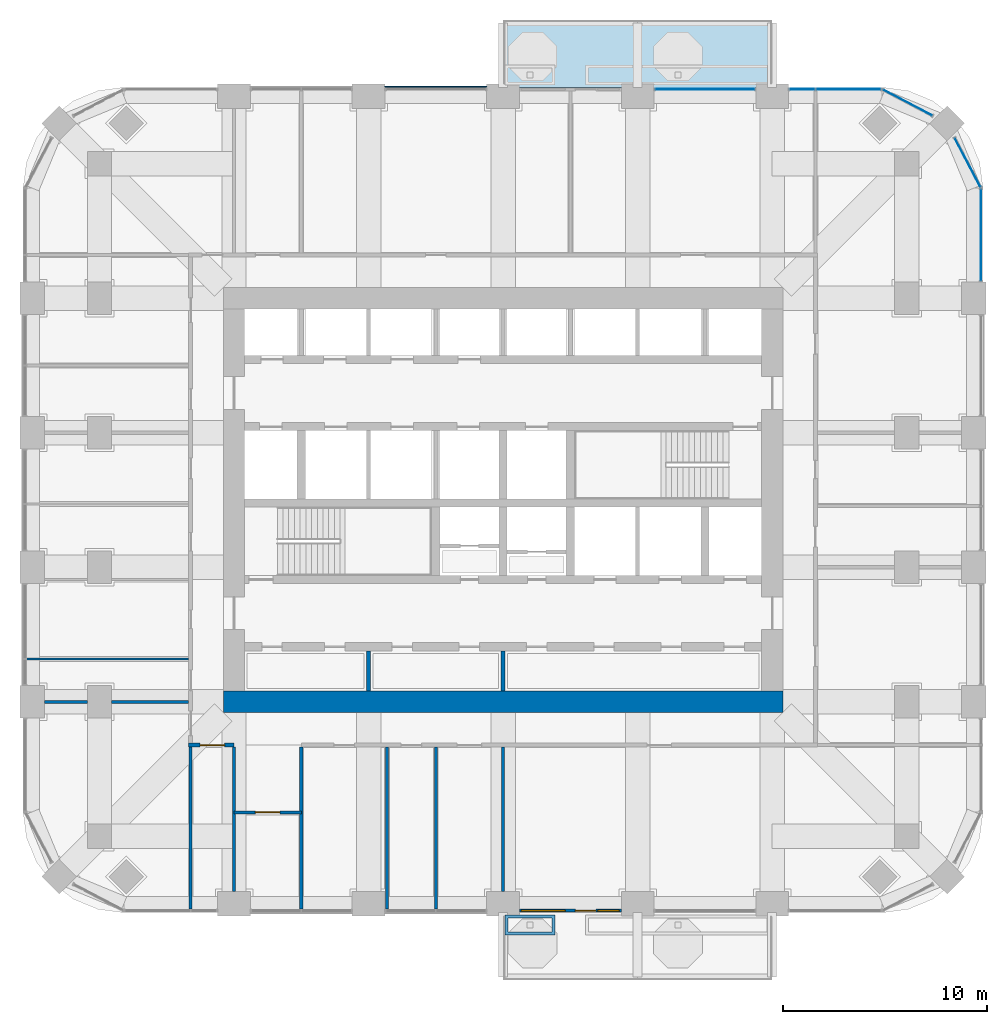
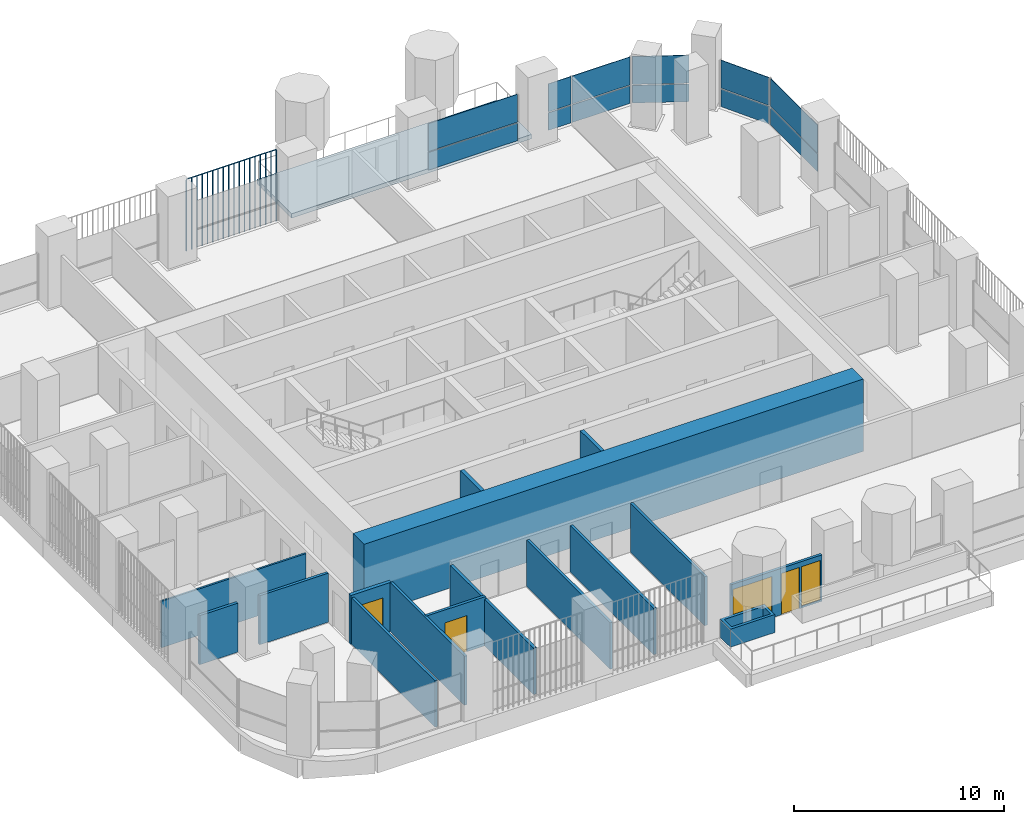
# One storey, part 12 of 19: 16 walls, 13 plates, 3 doors, 2 windows, 1 slab, 5 openings, 5 elements without a shape of their own.
"""IFC4 building model written with IfcOpenShell, lengths in metres."""

import ifcopenshell
import ifcopenshell.guid

model = None  # the IFC model being written
_history = None  # IfcOwnerHistory: only IFC2X3 demands one
_inside = {}  # id of a spatial element -> (the spatial element, [elements in it])
_under = {}  # id of a project, library or spatial element -> (it, [spatial elements below it])
_declared = {}  # id of a project -> (the project, [libraries it declares])
_typed = {}  # id of a type object -> (the type object, [elements of that type])
_made_of = {}  # id of a material, layer set ... -> (it, [elements and type objects made of it])


def new_model(schema):
    """Start an empty IFC model of exactly this schema.

    Asked for "IFC4X3", IfcOpenShell would pick the latest addendum, in which some entities
    have other attributes; the version numbers below select the first issue.
    IFC2X3 requires an IfcOwnerHistory on every rooted entity: one is made here for all.
    """
    global model, _history
    if schema == "IFC4X3":
        model = ifcopenshell.file(schema_version=(4, 3, 0, 0))
    else:
        model = ifcopenshell.file(schema=schema)
    _inside.clear()
    _under.clear()
    _declared.clear()
    _typed.clear()
    _made_of.clear()
    _history = None
    if model.schema == "IFC2X3":
        org = make("IfcOrganization", Name="unknown")
        user = make(
            "IfcPersonAndOrganization",
            ThePerson=make("IfcPerson", FamilyName="unknown"),
            TheOrganization=org,
        )
        app = make(
            "IfcApplication",
            ApplicationDeveloper=org,
            Version="unknown",
            ApplicationFullName="unknown",
            ApplicationIdentifier="unknown",
        )
        _history = make(
            "IfcOwnerHistory",
            OwningUser=user,
            OwningApplication=app,
            ChangeAction="ADDED",
            CreationDate=0,
        )
    return model


def make(cls, **values):
    """One entity of the class cls with the attributes given. An attribute that is None is left unset."""
    return model.create_entity(
        cls, **{name: value for name, value in values.items() if value is not None}
    )


def rooted(cls, **values):
    """An entity with a GlobalId (a new one), such as an element, a storey or a relation."""
    return make(cls, GlobalId=ifcopenshell.guid.new(), OwnerHistory=_history, **values)


def si_unit(unit_type, name, prefix=None):
    """IfcSIUnit, for example si_unit("LENGTHUNIT", "METRE", prefix="MILLI")."""
    return make("IfcSIUnit", UnitType=unit_type, Prefix=prefix, Name=name)


def assignment(units):
    """IfcUnitAssignment: the units of a project."""
    return None if units is None else make("IfcUnitAssignment", Units=units)


def point(xyz):
    """IfcCartesianPoint."""
    return None if xyz is None else make("IfcCartesianPoint", Coordinates=xyz)


def direction(xyz):
    """IfcDirection."""
    return None if xyz is None else make("IfcDirection", DirectionRatios=xyz)


def frame(location, z_axis=None, x_axis=None):
    """IfcAxis2Placement3D, a coordinate frame: its origin and axes. An axis left out is left unset."""
    return make(
        "IfcAxis2Placement3D",
        Location=point(location),
        Axis=direction(z_axis),
        RefDirection=direction(x_axis),
    )


def frame_2d(location, x_axis=None):
    """IfcAxis2Placement2D, a coordinate frame in the plane: its origin and x axis."""
    return make(
        "IfcAxis2Placement2D", Location=point(location), RefDirection=direction(x_axis)
    )


def origin():
    """The frame at (0, 0, 0) with its axes left unset."""
    return frame((0.0, 0.0, 0.0))


def origin_2d():
    """The frame at (0, 0) in the plane with its x axis left unset."""
    return frame_2d((0.0, 0.0))


def place(relative_to, where):
    """IfcLocalPlacement: puts the frame where relative to a parent placement (None: the world)."""
    return make(
        "IfcLocalPlacement", PlacementRelTo=relative_to, RelativePlacement=where
    )


def context(
    kind, dimensions, precision=None, world=None, true_north=None, identifier=None
):
    """IfcGeometricRepresentationContext, for example the 3D "Model" context."""
    return make(
        "IfcGeometricRepresentationContext",
        ContextIdentifier=identifier,
        ContextType=kind,
        CoordinateSpaceDimension=dimensions,
        Precision=precision,
        WorldCoordinateSystem=world,
        TrueNorth=true_north,
    )


def subcontext(parent, identifier, kind, view, scale=None):
    """IfcGeometricRepresentationSubContext, for example "Body" below "Model"."""
    return make(
        "IfcGeometricRepresentationSubContext",
        ContextIdentifier=identifier,
        ContextType=kind,
        ParentContext=parent,
        TargetScale=scale,
        TargetView=view,
    )


def project(units=None, contexts=None):
    """IfcProject with its units and contexts."""
    return rooted(
        "IfcProject",
        Name="project",
        RepresentationContexts=contexts,
        UnitsInContext=assignment(units),
    )


def spatial(cls, under=None, at=None, **own):
    """A site, building, storey or space (cls), placed at a placement, below another one or the project."""
    s = rooted(cls, ObjectPlacement=at, **own)
    if under is not None:
        _under.setdefault(under.id(), (under, []))[1].append(s)
    return s


def polyline(points):
    """IfcPolyline through the points."""
    return make("IfcPolyline", Points=[point(p) for p in points])


def profile(cls, at=None, kind="AREA", **sizes):
    """A parametric profile (cls). Its sizes go by their IFC names, for example OverallWidth=200.0."""
    return make(cls, ProfileType=kind, Position=at, **sizes)


def rectangle(**sizes):
    """IfcRectangleProfileDef."""
    return profile("IfcRectangleProfileDef", **sizes)


def outline(outer, holes=None, kind="AREA"):
    """IfcArbitraryClosedProfileDef: a profile drawn as a closed curve; with holes, ...WithVoids."""
    if holes is None:
        return make("IfcArbitraryClosedProfileDef", ProfileType=kind, OuterCurve=outer)
    return make(
        "IfcArbitraryProfileDefWithVoids",
        ProfileType=kind,
        OuterCurve=outer,
        InnerCurves=holes,
    )


def extrude(swept, where, along, depth):
    """IfcExtrudedAreaSolid: the profile swept, set in the frame where, extruded along a direction by depth."""
    return make(
        "IfcExtrudedAreaSolid",
        SweptArea=swept,
        Position=where,
        ExtrudedDirection=direction(along),
        Depth=depth,
    )


def shape(context_of_items, identifier, shape_type, items):
    """IfcShapeRepresentation: the items that make up one representation, for example the "Body"."""
    return make(
        "IfcShapeRepresentation",
        ContextOfItems=context_of_items,
        RepresentationIdentifier=identifier,
        RepresentationType=shape_type,
        Items=items,
    )


def material(Name=None, Category=None):
    """IfcMaterial."""
    return make("IfcMaterial", Name=Name, Category=Category)


def layer(
    of_material, thickness, ventilated=None, Name=None, Category=None, Priority=None
):
    """IfcMaterialLayer: one layer of a wall or slab, of a material (None: an air gap)."""
    return make(
        "IfcMaterialLayer",
        Material=of_material,
        LayerThickness=thickness,
        IsVentilated=ventilated,
        Name=Name,
        Category=Category,
        Priority=Priority,
    )


def layer_set(layers, Name=None):
    """IfcMaterialLayerSet."""
    return make("IfcMaterialLayerSet", MaterialLayers=layers, LayerSetName=Name)


def made_of(thing, what):
    """Note that an element or type object is made of a material, layer set ...; save() writes the relation."""
    if what is not None:
        _made_of.setdefault(what.id(), (what, []))[1].append(thing)
    return thing


def type_object(cls, material=None, **own):
    """A type object (cls), such as IfcWallType, which elements share."""
    return made_of(rooted(cls, **own), material)


def element(
    cls,
    number,
    at=None,
    inside=None,
    cuts=None,
    type_object=None,
    material=None,
    context=None,
    identifier="Body",
    shape_type=None,
    held_by="IfcProductDefinitionShape",
    body=None,
    shapes=None,
    **own,
):
    """One element of the class cls, such as IfcWall. Its Tag is "e" and its number.

    at: its placement. inside: the storey or other place that contains it. cuts: it is an
    opening in that element (IfcRelVoidsElement). A single representation is given by context,
    identifier, shape_type and body (its items); several are given by shapes. held_by: the class
    of the entity that holds the representations. save() writes the other relations.
    """
    e = rooted(cls, Tag="e%d" % number, ObjectPlacement=at, **own)
    if body is not None:
        shapes = [shape(context, identifier, shape_type, body)]
    if shapes is not None:
        e.Representation = make(held_by, Representations=shapes)
    if inside is not None:
        _inside.setdefault(inside.id(), (inside, []))[1].append(e)
    if cuts is not None:
        rooted(
            "IfcRelVoidsElement", RelatingBuildingElement=cuts, RelatedOpeningElement=e
        )
    if type_object is not None:
        _typed.setdefault(type_object.id(), (type_object, []))[1].append(e)
    return made_of(e, material)


def fill(opening, filler):
    """IfcRelFillsElement: the door or window that sits in an opening."""
    return rooted(
        "IfcRelFillsElement",
        RelatingOpeningElement=opening,
        RelatedBuildingElement=filler,
    )


def aggregate(whole, parts):
    """IfcRelAggregates: a whole, such as a stair, and the parts it consists of."""
    return rooted("IfcRelAggregates", RelatingObject=whole, RelatedObjects=parts)


def save(model, path):
    """Write the relations noted so far, then the file.

    IfcRelAggregates (storeys below a building ...), IfcRelContainedInSpatialStructure (elements
    in a storey), IfcRelDefinesByType, IfcRelAssociatesMaterial and IfcRelDeclares: one each for
    every whole, place, type object, material and project.
    """
    for whole, parts in _under.values():
        aggregate(whole, parts)
    for where, things in _inside.values():
        rooted(
            "IfcRelContainedInSpatialStructure",
            RelatedElements=things,
            RelatingStructure=where,
        )
    for kind, things in _typed.values():
        rooted("IfcRelDefinesByType", RelatedObjects=things, RelatingType=kind)
    for what, things in _made_of.values():
        rooted("IfcRelAssociatesMaterial", RelatedObjects=things, RelatingMaterial=what)
    for by, libraries in _declared.values():
        rooted("IfcRelDeclares", RelatingContext=by, RelatedDefinitions=libraries)
    model.write(path)


model = new_model("IFC4")

# Units and contexts
model_context = context("Model", 3, precision=1e-05, world=origin(), true_north=direction((0.0, 1.0)))
body_context = subcontext(model_context, "Body", "Model", "MODEL_VIEW")
ifc_project = project(units=[si_unit("LENGTHUNIT", "METRE"), si_unit("AREAUNIT", "SQUARE_METRE"), si_unit("VOLUMEUNIT", "CUBIC_METRE"), si_unit("PLANEANGLEUNIT", "RADIAN"), si_unit("MASSUNIT", "GRAM", prefix="KILO")], contexts=[model_context])

# Site, building, storey
site_placement = place(None, origin())
site = spatial("IfcSite", under=ifc_project, at=site_placement, CompositionType="ELEMENT")
building_placement = place(site_placement, origin())
building = spatial("IfcBuilding", under=site, at=building_placement, Name="Cobogo Forest Laboratory Tower", CompositionType="ELEMENT")
storey_placement = place(building_placement, frame((0.0, 0.0, 164.10009765625)))
storey = spatial("IfcBuildingStorey", under=building, at=storey_placement, Name="L37", CompositionType="ELEMENT", Elevation=164.10009765625)

# Slab
ifc_material_1 = material(Name="Concrete HA-40 (C40/50)", Category="concrete")
ifc_layer_1 = layer(ifc_material_1, 0.25)
ifc_layer_set_1 = layer_set([ifc_layer_1], Name="Balcony slab 250")
slab_type = type_object("IfcSlabType", Name="Balcony slab 250", PredefinedType="FLOOR", material=ifc_layer_set_1)
slab_placement = place(storey_placement, frame((0.0, 0.0, -0.25)))
element("IfcSlab", 1, at=slab_placement, inside=storey, type_object=slab_type, Name="Balcony BAL-N1 L37", PredefinedType="FLOOR", context=body_context, shape_type="SweptSolid", body=[
    extrude(outline(polyline([(26.39990234375, 43.35009765625), (39.60009765625, 43.35009765625), (39.60009765625, 46.64990234375), (26.39990234375, 46.64990234375), (26.39990234375, 43.35009765625)])), origin(), (0.0, 0.0, 1.0), 0.25),
])

# Curtain wall, plates
ifc_material_2 = material(Name="Aluminium curtain wall", Category="aluminium")
curtain_wall_type = type_object("IfcCurtainWallType", Name="CW-2 unitised curtain wall, solar control glazing, laboratory floors zones C and D", PredefinedType="USERDEFINED", material=ifc_material_2)
curtain_wall_1_placement = place(storey_placement, origin())
curtain_wall_1 = element("IfcCurtainWall", 2, at=curtain_wall_1_placement, inside=storey, type_object=curtain_wall_type, Name="Curtain wall 13 L37", ObjectType="UNITISED CURTAIN WALL", PredefinedType="USERDEFINED")
ifc_material_3 = material(Name="Solar control insulated glass", Category="glass")
ifc_layer_2 = layer(ifc_material_3, 0.031982421875)
ifc_layer_set_2 = layer_set([ifc_layer_2], Name="GP-2 solar control glass unit 32")
plate_type_1 = type_object("IfcPlateType", Name="GP-2 solar control glass unit 32", PredefinedType="CURTAIN_PANEL", material=ifc_layer_set_2)
plate_1_placement = place(storey_placement, frame((49.85009765625, 36.10009765625, 0.0), z_axis=(0.0, 0.0, 1.0), x_axis=(0.0, 1.0, 0.0)))
plate_1 = element("IfcPlate", 3, at=plate_1_placement, type_object=plate_type_1, Name="CW-2 panel 1.1", PredefinedType="CURTAIN_PANEL", context=body_context, shape_type="SweptSolid", body=[
    extrude(rectangle(XDim=4.47998046875, YDim=0.031982421875, at=origin_2d()), origin(), (0.0, 0.0, 1.0), 1.02001953125),
])
plate_2_placement = place(storey_placement, frame((49.85009765625, 36.10009765625, 1.079833984375), z_axis=(0.0, 0.0, 1.0), x_axis=(0.0, 1.0, 0.0)))
plate_2 = element("IfcPlate", 4, at=plate_2_placement, type_object=plate_type_1, Name="CW-2 panel 1.2", PredefinedType="CURTAIN_PANEL", context=body_context, shape_type="SweptSolid", body=[
    extrude(rectangle(XDim=4.47998046875, YDim=0.031982421875, at=origin_2d()), origin(), (0.0, 0.0, 1.0), 1.6201171875),
])
aggregate(curtain_wall_1, [plate_1, plate_2])

curtain_wall_2_placement = place(storey_placement, origin())
curtain_wall_2 = element("IfcCurtainWall", 5, at=curtain_wall_2_placement, inside=storey, type_object=curtain_wall_type, Name="Curtain wall 14 L37", ObjectType="UNITISED CURTAIN WALL", PredefinedType="USERDEFINED")
plate_3_placement = place(storey_placement, frame((49.193603515625, 39.65234375, 0.0), z_axis=(0.0, 0.0, 1.0), x_axis=(-0.464283818822, 0.885686477022, 0.0)))
plate_3 = element("IfcPlate", 6, at=plate_3_placement, type_object=plate_type_1, Name="CW-2 panel 1.1", PredefinedType="CURTAIN_PANEL", context=body_context, shape_type="SweptSolid", body=[
    extrude(rectangle(XDim=2.7080078125, YDim=0.031982421875, at=origin_2d()), origin(), (0.0, 0.0, 1.0), 1.02001953125),
])
plate_4_placement = place(storey_placement, frame((49.193603515625, 39.65234375, 1.079833984375), z_axis=(0.0, 0.0, 1.0), x_axis=(-0.464283818822, 0.885686477022, 0.0)))
plate_4 = element("IfcPlate", 7, at=plate_4_placement, type_object=plate_type_1, Name="CW-2 panel 1.2", PredefinedType="CURTAIN_PANEL", context=body_context, shape_type="SweptSolid", body=[
    extrude(rectangle(XDim=2.7080078125, YDim=0.031982421875, at=origin_2d()), origin(), (0.0, 0.0, 1.0), 1.6201171875),
])
aggregate(curtain_wall_2, [plate_3, plate_4])

curtain_wall_3_placement = place(storey_placement, origin())
curtain_wall_3 = element("IfcCurtainWall", 8, at=curtain_wall_3_placement, inside=storey, type_object=curtain_wall_type, Name="Curtain wall 15 L37", ObjectType="UNITISED CURTAIN WALL", PredefinedType="USERDEFINED")
plate_5_placement = place(storey_placement, frame((46.25244140625, 42.593505859375, 0.0), z_axis=(0.0, 0.0, 1.0), x_axis=(-0.885686477022, 0.464283818822, 0.0)))
plate_5 = element("IfcPlate", 9, at=plate_5_placement, type_object=plate_type_1, Name="CW-2 panel 1.1", PredefinedType="CURTAIN_PANEL", context=body_context, shape_type="SweptSolid", body=[
    extrude(rectangle(XDim=2.7080078125, YDim=0.031982421875, at=origin_2d()), origin(), (0.0, 0.0, 1.0), 1.02001953125),
])
plate_6_placement = place(storey_placement, frame((46.25244140625, 42.593505859375, 1.079833984375), z_axis=(0.0, 0.0, 1.0), x_axis=(-0.885686477022, 0.464283818822, 0.0)))
plate_6 = element("IfcPlate", 10, at=plate_6_placement, type_object=plate_type_1, Name="CW-2 panel 1.2", PredefinedType="CURTAIN_PANEL", context=body_context, shape_type="SweptSolid", body=[
    extrude(rectangle(XDim=2.7080078125, YDim=0.031982421875, at=origin_2d()), origin(), (0.0, 0.0, 1.0), 1.6201171875),
])
aggregate(curtain_wall_3, [plate_5, plate_6])

curtain_wall_4_placement = place(storey_placement, origin())
curtain_wall_4 = element("IfcCurtainWall", 11, at=curtain_wall_4_placement, inside=storey, type_object=curtain_wall_type, Name="Curtain wall 16 L37", ObjectType="UNITISED CURTAIN WALL", PredefinedType="USERDEFINED")
plate_7_placement = place(storey_placement, frame((43.347412109375, 43.25, 0.0), z_axis=(0.0, 0.0, 1.0), x_axis=(-1.0, 0.0, 0.0)))
plate_7 = element("IfcPlate", 12, at=plate_7_placement, type_object=plate_type_1, Name="CW-2 panel 1.1", PredefinedType="CURTAIN_PANEL", context=body_context, shape_type="SweptSolid", body=[
    extrude(rectangle(XDim=3.18505859375, YDim=0.031982421875, at=origin_2d()), origin(), (0.0, 0.0, 1.0), 1.02001953125),
])
plate_8_placement = place(storey_placement, frame((43.347412109375, 43.25, 1.079833984375), z_axis=(0.0, 0.0, 1.0), x_axis=(-1.0, 0.0, 0.0)))
plate_8 = element("IfcPlate", 13, at=plate_8_placement, type_object=plate_type_1, Name="CW-2 panel 1.2", PredefinedType="CURTAIN_PANEL", context=body_context, shape_type="SweptSolid", body=[
    extrude(rectangle(XDim=3.18505859375, YDim=0.031982421875, at=origin_2d()), origin(), (0.0, 0.0, 1.0), 1.6201171875),
])
plate_9_placement = place(storey_placement, frame((41.077392578125, 43.25, 0.0), z_axis=(0.0, 0.0, 1.0), x_axis=(-1.0, 0.0, 0.0)))
plate_9 = element("IfcPlate", 14, at=plate_9_placement, type_object=plate_type_1, Name="CW-2 panel 2.1", PredefinedType="CURTAIN_PANEL", context=body_context, shape_type="SweptSolid", body=[
    extrude(rectangle(XDim=1.235107421875, YDim=0.031982421875, at=origin_2d()), origin(), (0.0, 0.0, 1.0), 1.02001953125),
])
plate_10_placement = place(storey_placement, frame((41.077392578125, 43.25, 1.079833984375), z_axis=(0.0, 0.0, 1.0), x_axis=(-1.0, 0.0, 0.0)))
plate_10 = element("IfcPlate", 15, at=plate_10_placement, type_object=plate_type_1, Name="CW-2 panel 2.2", PredefinedType="CURTAIN_PANEL", context=body_context, shape_type="SweptSolid", body=[
    extrude(rectangle(XDim=1.235107421875, YDim=0.031982421875, at=origin_2d()), origin(), (0.0, 0.0, 1.0), 1.6201171875),
])
aggregate(curtain_wall_4, [plate_7, plate_8, plate_9, plate_10])

curtain_wall_5_placement = place(storey_placement, origin())
curtain_wall_5 = element("IfcCurtainWall", 16, at=curtain_wall_5_placement, inside=storey, type_object=curtain_wall_type, Name="Curtain wall 17 L37", ObjectType="UNITISED CURTAIN WALL", PredefinedType="USERDEFINED")
plate_11_placement = place(storey_placement, frame((36.300048828125, 43.25, 0.0), z_axis=(0.0, 0.0, 1.0), x_axis=(-1.0, 0.0, 0.0)))
plate_11 = element("IfcPlate", 17, at=plate_11_placement, type_object=plate_type_1, Name="CW-2 panel 1.1", PredefinedType="CURTAIN_PANEL", context=body_context, shape_type="SweptSolid", body=[
    extrude(rectangle(XDim=4.8798828125, YDim=0.031982421875, at=origin_2d()), origin(), (0.0, 0.0, 1.0), 1.02001953125),
])
plate_12_placement = place(storey_placement, frame((36.300048828125, 43.25, 1.079833984375), z_axis=(0.0, 0.0, 1.0), x_axis=(-1.0, 0.0, 0.0)))
plate_12 = element("IfcPlate", 18, at=plate_12_placement, type_object=plate_type_1, Name="CW-2 panel 1.2", PredefinedType="CURTAIN_PANEL", context=body_context, shape_type="SweptSolid", body=[
    extrude(rectangle(XDim=4.8798828125, YDim=0.031982421875, at=origin_2d()), origin(), (0.0, 0.0, 1.0), 1.6201171875),
])
aggregate(curtain_wall_5, [plate_11, plate_12])

# Plate
ifc_material_4 = material(Name="Terracotta", Category="masonry")
plate_type_2 = type_object("IfcPlateType", Name="TB1 terracotta baguette screen", PredefinedType="USERDEFINED", material=ifc_material_4)
plate_13_placement = place(storey_placement, frame((20.63134765625, 43.3779296875, -0.150146484375)))
element("IfcPlate", 19, at=plate_13_placement, inside=storey, type_object=plate_type_2, Name="Baguette screen N2 L37", ObjectType="BAGUETTE SCREEN", PredefinedType="USERDEFINED", context=body_context, shape_type="SweptSolid", body=[
    extrude(outline(polyline([(0.02880859375, 0.011962890625), (0.011962890625, 0.02880859375), (-0.011962890625, 0.02880859375), (-0.02880859375, 0.011962890625), (-0.02880859375, -0.011962890625), (-0.011962890625, -0.02880859375), (0.011962890625, -0.02880859375), (0.02880859375, -0.011962890625), (0.02880859375, 0.011962890625)])), frame((0.0, 0.0, 4.168701171875), z_axis=(1.0, 0.0, 0.0), x_axis=(0.0, 1.0, 0.0)), (0.0, 0.0, 1.0), 4.9375),
    extrude(outline(polyline([(0.02880859375, 0.011962890625), (0.011962890625, 0.02880859375), (-0.011962890625, 0.02880859375), (-0.02880859375, 0.011962890625), (-0.02880859375, -0.011962890625), (-0.011962890625, -0.02880859375), (0.011962890625, -0.02880859375), (0.02880859375, -0.011962890625), (0.02880859375, 0.011962890625)])), origin(), (0.0, 0.0, 1.0), 4.137451171875),
    extrude(outline(polyline([(0.02880859375, 0.011962890625), (0.011962890625, 0.02880859375), (-0.011962890625, 0.02880859375), (-0.02880859375, 0.011962890625), (-0.02880859375, -0.011962890625), (-0.011962890625, -0.02880859375), (0.011962890625, -0.02880859375), (0.02880859375, -0.011962890625), (0.02880859375, 0.011962890625)])), frame((0.29052734375, 0.0, 0.0)), (0.0, 0.0, 1.0), 4.137451171875),
    extrude(outline(polyline([(0.02880859375, 0.011962890625), (0.011962890625, 0.02880859375), (-0.011962890625, 0.02880859375), (-0.02880859375, 0.011962890625), (-0.02880859375, -0.011962890625), (-0.011962890625, -0.02880859375), (0.011962890625, -0.02880859375), (0.02880859375, -0.011962890625), (0.02880859375, 0.011962890625)])), frame((0.580810546875, 0.0, 0.0)), (0.0, 0.0, 1.0), 4.137451171875),
    extrude(outline(polyline([(0.02880859375, 0.011962890625), (0.011962890625, 0.02880859375), (-0.011962890625, 0.02880859375), (-0.02880859375, 0.011962890625), (-0.02880859375, -0.011962890625), (-0.011962890625, -0.02880859375), (0.011962890625, -0.02880859375), (0.02880859375, -0.011962890625), (0.02880859375, 0.011962890625)])), frame((0.871337890625, 0.0, 0.0)), (0.0, 0.0, 1.0), 4.137451171875),
    extrude(outline(polyline([(0.02880859375, 0.011962890625), (0.011962890625, 0.02880859375), (-0.011962890625, 0.02880859375), (-0.02880859375, 0.011962890625), (-0.02880859375, -0.011962890625), (-0.011962890625, -0.02880859375), (0.011962890625, -0.02880859375), (0.02880859375, -0.011962890625), (0.02880859375, 0.011962890625)])), frame((1.161865234375, 0.0, 0.0)), (0.0, 0.0, 1.0), 4.137451171875),
    extrude(outline(polyline([(0.02880859375, 0.011962890625), (0.011962890625, 0.02880859375), (-0.011962890625, 0.02880859375), (-0.02880859375, 0.011962890625), (-0.02880859375, -0.011962890625), (-0.011962890625, -0.02880859375), (0.011962890625, -0.02880859375), (0.02880859375, -0.011962890625), (0.02880859375, 0.011962890625)])), frame((1.4521484375, 0.0, 0.0)), (0.0, 0.0, 1.0), 4.137451171875),
    extrude(outline(polyline([(0.02880859375, 0.011962890625), (0.011962890625, 0.02880859375), (-0.011962890625, 0.02880859375), (-0.02880859375, 0.011962890625), (-0.02880859375, -0.011962890625), (-0.011962890625, -0.02880859375), (0.011962890625, -0.02880859375), (0.02880859375, -0.011962890625), (0.02880859375, 0.011962890625)])), frame((1.74267578125, 0.0, 0.0)), (0.0, 0.0, 1.0), 4.137451171875),
    extrude(outline(polyline([(0.02880859375, 0.011962890625), (0.011962890625, 0.02880859375), (-0.011962890625, 0.02880859375), (-0.02880859375, 0.011962890625), (-0.02880859375, -0.011962890625), (-0.011962890625, -0.02880859375), (0.011962890625, -0.02880859375), (0.02880859375, -0.011962890625), (0.02880859375, 0.011962890625)])), frame((2.033203125, 0.0, 0.0)), (0.0, 0.0, 1.0), 4.137451171875),
    extrude(outline(polyline([(0.02880859375, 0.011962890625), (0.011962890625, 0.02880859375), (-0.011962890625, 0.02880859375), (-0.02880859375, 0.011962890625), (-0.02880859375, -0.011962890625), (-0.011962890625, -0.02880859375), (0.011962890625, -0.02880859375), (0.02880859375, -0.011962890625), (0.02880859375, 0.011962890625)])), frame((2.323486328125, 0.0, 0.0)), (0.0, 0.0, 1.0), 4.137451171875),
    extrude(outline(polyline([(0.02880859375, 0.011962890625), (0.011962890625, 0.02880859375), (-0.011962890625, 0.02880859375), (-0.02880859375, 0.011962890625), (-0.02880859375, -0.011962890625), (-0.011962890625, -0.02880859375), (0.011962890625, -0.02880859375), (0.02880859375, -0.011962890625), (0.02880859375, 0.011962890625)])), frame((2.614013671875, 0.0, 0.0)), (0.0, 0.0, 1.0), 4.137451171875),
    extrude(outline(polyline([(0.02880859375, 0.011962890625), (0.011962890625, 0.02880859375), (-0.011962890625, 0.02880859375), (-0.02880859375, 0.011962890625), (-0.02880859375, -0.011962890625), (-0.011962890625, -0.02880859375), (0.011962890625, -0.02880859375), (0.02880859375, -0.011962890625), (0.02880859375, 0.011962890625)])), frame((2.904296875, 0.0, 0.0)), (0.0, 0.0, 1.0), 4.137451171875),
    extrude(outline(polyline([(0.02880859375, 0.011962890625), (0.011962890625, 0.02880859375), (-0.011962890625, 0.02880859375), (-0.02880859375, 0.011962890625), (-0.02880859375, -0.011962890625), (-0.011962890625, -0.02880859375), (0.011962890625, -0.02880859375), (0.02880859375, -0.011962890625), (0.02880859375, 0.011962890625)])), frame((3.19482421875, 0.0, 0.0)), (0.0, 0.0, 1.0), 4.137451171875),
    extrude(outline(polyline([(0.02880859375, 0.011962890625), (0.011962890625, 0.02880859375), (-0.011962890625, 0.02880859375), (-0.02880859375, 0.011962890625), (-0.02880859375, -0.011962890625), (-0.011962890625, -0.02880859375), (0.011962890625, -0.02880859375), (0.02880859375, -0.011962890625), (0.02880859375, 0.011962890625)])), frame((3.4853515625, 0.0, 0.0)), (0.0, 0.0, 1.0), 4.137451171875),
    extrude(outline(polyline([(0.02880859375, 0.011962890625), (0.011962890625, 0.02880859375), (-0.011962890625, 0.02880859375), (-0.02880859375, 0.011962890625), (-0.02880859375, -0.011962890625), (-0.011962890625, -0.02880859375), (0.011962890625, -0.02880859375), (0.02880859375, -0.011962890625), (0.02880859375, 0.011962890625)])), frame((3.775634765625, 0.0, 0.0)), (0.0, 0.0, 1.0), 4.137451171875),
    extrude(outline(polyline([(0.02880859375, 0.011962890625), (0.011962890625, 0.02880859375), (-0.011962890625, 0.02880859375), (-0.02880859375, 0.011962890625), (-0.02880859375, -0.011962890625), (-0.011962890625, -0.02880859375), (0.011962890625, -0.02880859375), (0.02880859375, -0.011962890625), (0.02880859375, 0.011962890625)])), frame((4.066162109375, 0.0, 0.0)), (0.0, 0.0, 1.0), 4.137451171875),
    extrude(outline(polyline([(0.02880859375, 0.011962890625), (0.011962890625, 0.02880859375), (-0.011962890625, 0.02880859375), (-0.02880859375, 0.011962890625), (-0.02880859375, -0.011962890625), (-0.011962890625, -0.02880859375), (0.011962890625, -0.02880859375), (0.02880859375, -0.011962890625), (0.02880859375, 0.011962890625)])), frame((4.356689453125, 0.0, 0.0)), (0.0, 0.0, 1.0), 4.137451171875),
    extrude(outline(polyline([(0.02880859375, 0.011962890625), (0.011962890625, 0.02880859375), (-0.011962890625, 0.02880859375), (-0.02880859375, 0.011962890625), (-0.02880859375, -0.011962890625), (-0.011962890625, -0.02880859375), (0.011962890625, -0.02880859375), (0.02880859375, -0.011962890625), (0.02880859375, 0.011962890625)])), frame((4.64697265625, 0.0, 0.0)), (0.0, 0.0, 1.0), 4.137451171875),
    extrude(outline(polyline([(0.02880859375, 0.011962890625), (0.011962890625, 0.02880859375), (-0.011962890625, 0.02880859375), (-0.02880859375, 0.011962890625), (-0.02880859375, -0.011962890625), (-0.011962890625, -0.02880859375), (0.011962890625, -0.02880859375), (0.02880859375, -0.011962890625), (0.02880859375, 0.011962890625)])), frame((4.9375, 0.0, 0.0)), (0.0, 0.0, 1.0), 4.137451171875),
])

# Wall
ifc_material_5 = material(Name="Concrete HA-50 (C50/60)", Category="concrete")
ifc_layer_3 = layer(ifc_material_5, 1.050048828125)
ifc_layer_set_3 = layer_set([ifc_layer_3], Name="CW1050 core outer wall 1050")
wall_type_1 = type_object("IfcWallType", Name="CW1050 core outer wall 1050", PredefinedType="SHEAR", material=ifc_layer_set_3)
wall_1_placement = place(storey_placement, frame((12.675048828125, 13.199951171875, 0.0), z_axis=(0.0, 0.0, 1.0), x_axis=(1.0, 0.0, 0.0)))
element("IfcWall", 20, at=wall_1_placement, inside=storey, type_object=wall_type_1, Name="Core wall CO-S L37", PredefinedType="SHEAR", context=body_context, shape_type="SweptSolid", body=[
    extrude(rectangle(XDim=27.449951171875, YDim=1.050048828125, at=frame_2d((13.72509765625, 0.0))), origin(), (0.0, 0.0, 1.0), 4.199951171875),
])

# Wall, openings, door, windows
ifc_material_6 = material(Name="Aluminium framed glazed screen", Category="aluminium")
ifc_layer_4 = layer(ifc_material_6, 0.14990234375)
ifc_layer_set_4 = layer_set([ifc_layer_4], Name="GS1 glazed door screen 150")
wall_type_2 = type_object("IfcWallType", Name="GS1 glazed door screen 150", PredefinedType="SOLIDWALL", material=ifc_layer_set_4)
wall_2_placement = place(storey_placement, frame((27.199951171875, 2.949951171875, 0.0), z_axis=(0.0, 0.0, 1.0), x_axis=(1.0, 0.0, 0.0)))
wall_2 = element("IfcWall", 21, at=wall_2_placement, inside=storey, type_object=wall_type_2, Name="Door screen BAL-S1 L37", PredefinedType="SOLIDWALL", context=body_context, shape_type="SweptSolid", body=[
    extrude(rectangle(XDim=5.0, YDim=0.14990234375, at=frame_2d((2.5, 0.0))), origin(), (0.0, 0.0, 1.0), 2.699951171875),
])
opening_1_placement = place(wall_2_placement, frame((2.75, 0.0, 0.0)))
opening_1 = element("IfcOpeningElement", 22, at=opening_1_placement, cuts=wall_2, Name="Opening L37-D01", PredefinedType="OPENING", context=body_context, shape_type="SweptSolid", body=[
    extrude(rectangle(XDim=1.0, YDim=2.39990234375, at=frame_2d((0.5, 1.199951171875))), frame((0.0, 0.0849609375, 0.0), z_axis=(0.0, -1.0, 0.0), x_axis=(1.0, 0.0, 0.0)), (0.0, 0.0, 1.0), 0.169921875),
])
opening_2_placement = place(wall_2_placement, frame((0.10009765625, 0.0, 0.10009765625)))
opening_2 = element("IfcOpeningElement", 23, at=opening_2_placement, cuts=wall_2, Name="Opening L37-W01", PredefinedType="OPENING", context=body_context, shape_type="SweptSolid", body=[
    extrude(rectangle(XDim=2.14990234375, YDim=2.300048828125, at=frame_2d((1.074951171875, 1.14990234375))), frame((0.0, 0.0849609375, 0.0), z_axis=(0.0, -1.0, 0.0), x_axis=(1.0, 0.0, 0.0)), (0.0, 0.0, 1.0), 0.169921875),
])
opening_3_placement = place(wall_2_placement, frame((3.85009765625, 0.0, 0.10009765625)))
opening_3 = element("IfcOpeningElement", 24, at=opening_3_placement, cuts=wall_2, Name="Opening L37-W02", PredefinedType="OPENING", context=body_context, shape_type="SweptSolid", body=[
    extrude(rectangle(XDim=1.050048828125, YDim=2.300048828125, at=frame_2d((0.52490234375, 1.14990234375))), frame((0.0, 0.0849609375, 0.0), z_axis=(0.0, -1.0, 0.0), x_axis=(1.0, 0.0, 0.0)), (0.0, 0.0, 1.0), 0.169921875),
])
ifc_material_7 = material(Name="Aluminium glazed door", Category="aluminium")
door_type_1 = type_object("IfcDoorType", Name="DB1 balcony door 1000 glazed", OperationType="SINGLE_SWING_LEFT", PredefinedType="DOOR", material=ifc_material_7)
door_1_placement = place(opening_1_placement, origin())
door_1 = element("IfcDoor", 25, at=door_1_placement, inside=storey, type_object=door_type_1, Name="Door L37-BAL-S1", OperationType="SINGLE_SWING_RIGHT", OverallHeight=2.39990234375, OverallWidth=1.0, PredefinedType="DOOR", context=body_context, shape_type="SweptSolid", body=[
    extrude(rectangle(XDim=1.0, YDim=2.39990234375, at=frame_2d((0.5, 1.199951171875))), frame((0.0, 0.02490234375, 0.0), z_axis=(0.0, -1.0, 0.0), x_axis=(1.0, 0.0, 0.0)), (0.0, 0.0, 1.0), 0.050048828125),
])
fill(opening_1, door_1)
ifc_material_8 = material(Name="Aluminium framed glazing", Category="aluminium")
window_type_1 = type_object("IfcWindowType", Name="WG13 fixed glazed light 2150x2300", PartitioningType="SINGLE_PANEL", PredefinedType="WINDOW", material=ifc_material_8)
window_1_placement = place(opening_2_placement, origin())
window_1 = element("IfcWindow", 26, at=window_1_placement, inside=storey, type_object=window_type_1, Name="Window L37-BAL-S1-1", OverallHeight=2.300048828125, OverallWidth=2.14990234375, PartitioningType="SINGLE_PANEL", PredefinedType="WINDOW", context=body_context, shape_type="SweptSolid", body=[
    extrude(rectangle(XDim=2.14990234375, YDim=2.300048828125, at=frame_2d((1.074951171875, 1.14990234375))), frame((0.0, 0.030029296875, 0.0), z_axis=(0.0, -1.0, 0.0), x_axis=(1.0, 0.0, 0.0)), (0.0, 0.0, 1.0), 0.06005859375),
])
fill(opening_2, window_1)
window_type_2 = type_object("IfcWindowType", Name="WG14 fixed glazed light 1050x2300", PartitioningType="SINGLE_PANEL", PredefinedType="WINDOW", material=ifc_material_8)
window_2_placement = place(opening_3_placement, origin())
window_2 = element("IfcWindow", 27, at=window_2_placement, inside=storey, type_object=window_type_2, Name="Window L37-BAL-S1-2", OverallHeight=2.300048828125, OverallWidth=1.050048828125, PartitioningType="SINGLE_PANEL", PredefinedType="WINDOW", context=body_context, shape_type="SweptSolid", body=[
    extrude(rectangle(XDim=1.050048828125, YDim=2.300048828125, at=frame_2d((0.52490234375, 1.14990234375))), frame((0.0, 0.030029296875, 0.0), z_axis=(0.0, -1.0, 0.0), x_axis=(1.0, 0.0, 0.0)), (0.0, 0.0, 1.0), 0.06005859375),
])
fill(opening_3, window_2)

# Wall
ifc_material_9 = material(Name="Gypsum board on steel studs", Category="steel")
ifc_layer_5 = layer(ifc_material_9, 0.14990234375)
ifc_layer_set_5 = layer_set([ifc_layer_5], Name="PT1 laboratory partition 150")
wall_type_3 = type_object("IfcWallType", Name="PT1 laboratory partition 150", PredefinedType="PARTITIONING", material=ifc_layer_set_5)
wall_3_placement = place(storey_placement, frame((11.074951171875, 3.030029296875, 0.0), z_axis=(0.0, 0.0, 1.0), x_axis=(0.0, 1.0, 0.0)))
element("IfcWall", 28, at=wall_3_placement, inside=storey, type_object=wall_type_3, Name="Partition PW-SW L37", PredefinedType="PARTITIONING", context=body_context, shape_type="SweptSolid", body=[
    extrude(rectangle(XDim=7.945068359375, YDim=0.14990234375, at=frame_2d((3.97265625, 0.0))), origin(), (0.0, 0.0, 1.0), 2.699951171875),
])

# Wall, opening, door
wall_4_placement = place(storey_placement, frame((13.199951171875, 7.77490234375, 0.0), z_axis=(0.0, 0.0, 1.0), x_axis=(1.0, 0.0, 0.0)))
wall_4 = element("IfcWall", 29, at=wall_4_placement, inside=storey, type_object=wall_type_3, Name="Partition NODE-S-1 L37", PredefinedType="PARTITIONING", context=body_context, shape_type="SweptSolid", body=[
    extrude(rectangle(XDim=3.300048828125, YDim=0.14990234375, at=frame_2d((1.64990234375, 0.0))), origin(), (0.0, 0.0, 1.0), 2.849853515625),
])
opening_4_placement = place(wall_4_placement, frame((1.050048828125, 0.0, 0.0)))
opening_4 = element("IfcOpeningElement", 30, at=opening_4_placement, cuts=wall_4, Name="Opening L37-D02", PredefinedType="OPENING", context=body_context, shape_type="SweptSolid", body=[
    extrude(rectangle(XDim=1.199951171875, YDim=2.10009765625, at=frame_2d((0.60009765625, 1.050048828125))), frame((0.0, 0.0849609375, 0.0), z_axis=(0.0, -1.0, 0.0), x_axis=(1.0, 0.0, 0.0)), (0.0, 0.0, 1.0), 0.169921875),
])
ifc_material_10 = material(Name="Timber door", Category="wood")
door_type_2 = type_object("IfcDoorType", Name="D2 laboratory door 1200 unequal pair", OperationType="DOUBLE_DOOR_SINGLE_SWING", PredefinedType="DOOR", material=ifc_material_10)
door_2_placement = place(opening_4_placement, origin())
door_2 = element("IfcDoor", 31, at=door_2_placement, inside=storey, type_object=door_type_2, Name="Door L37-S2", OperationType="DOUBLE_DOOR_SINGLE_SWING", OverallHeight=2.10009765625, OverallWidth=1.199951171875, PredefinedType="DOOR", context=body_context, shape_type="SweptSolid", body=[
    extrude(rectangle(XDim=1.199951171875, YDim=2.10009765625, at=frame_2d((0.60009765625, 1.050048828125))), frame((0.0, 0.02490234375, 0.0), z_axis=(0.0, -1.0, 0.0), x_axis=(1.0, 0.0, 0.0)), (0.0, 0.0, 1.0), 0.050048828125),
])
fill(opening_4, door_2)

# Walls
for number, where, z_axis, x_axis, name in (
    (32, (20.699951171875, 3.030029296875, 0.0), (0.0, 0.0, 1.0), (0.0, 1.0, 0.0), "Partition SVC-S1-1 L37"),
    (33, (23.10009765625, 3.030029296875, 0.0), (0.0, 0.0, 1.0), (0.0, 1.0, 0.0), "Partition SVC-S2-1 L37"),
):
    element("IfcWall", number, at=place(storey_placement, frame(where, z_axis=z_axis, x_axis=x_axis)), inside=storey, type_object=wall_type_3, Name=name, PredefinedType="PARTITIONING", context=body_context, shape_type="SweptSolid", body=[
        extrude(rectangle(XDim=7.945068359375, YDim=0.14990234375, at=frame_2d((3.97265625, 0.0))), origin(), (0.0, 0.0, 1.0), 2.699951171875),
    ])
wall_5_placement = place(storey_placement, frame((13.199951171875, 3.89990234375, 0.0), z_axis=(0.0, 0.0, 1.0), x_axis=(0.0, 1.0, 0.0)))
element("IfcWall", 34, at=wall_5_placement, inside=storey, type_object=wall_type_3, Name="Partition CUT-S13.2-1 L37", PredefinedType="PARTITIONING", context=body_context, shape_type="SweptSolid", body=[
    extrude(rectangle(XDim=7.0751953125, YDim=0.14990234375, at=frame_2d((3.53759765625, 0.0))), origin(), (0.0, 0.0, 1.0), 2.849853515625),
])
wall_6_placement = place(storey_placement, frame((16.5, 3.030029296875, 0.0), z_axis=(0.0, 0.0, 1.0), x_axis=(0.0, 1.0, 0.0)))
element("IfcWall", 35, at=wall_6_placement, inside=storey, type_object=wall_type_3, Name="Partition CUT-S16.5-1 L37", PredefinedType="PARTITIONING", context=body_context, shape_type="SweptSolid", body=[
    extrude(rectangle(XDim=7.945068359375, YDim=0.14990234375, at=frame_2d((3.97265625, 0.0))), origin(), (0.0, 0.0, 1.0), 2.699951171875),
])
wall_7_placement = place(storey_placement, frame((26.39990234375, 3.89990234375, 0.0), z_axis=(0.0, 0.0, 1.0), x_axis=(0.0, 1.0, 0.0)))
element("IfcWall", 36, at=wall_7_placement, inside=storey, type_object=wall_type_3, Name="Partition CUT-S26.4-1 L37", PredefinedType="PARTITIONING", context=body_context, shape_type="SweptSolid", body=[
    extrude(rectangle(XDim=7.0751953125, YDim=0.14990234375, at=frame_2d((3.53759765625, 0.0))), origin(), (0.0, 0.0, 1.0), 2.849853515625),
])
wall_8_placement = place(storey_placement, frame((3.89990234375, 13.199951171875, 0.0), z_axis=(0.0, 0.0, 1.0), x_axis=(1.0, 0.0, 0.0)))
element("IfcWall", 37, at=wall_8_placement, inside=storey, type_object=wall_type_3, Name="Partition CUT-W13.2-1 L37", PredefinedType="PARTITIONING", context=body_context, shape_type="SweptSolid", body=[
    extrude(rectangle(XDim=2.10009765625, YDim=0.14990234375, at=frame_2d((1.050048828125, 0.0))), origin(), (0.0, 0.0, 1.0), 2.849853515625),
])
wall_9_placement = place(storey_placement, frame((7.199951171875, 13.199951171875, 0.0), z_axis=(0.0, 0.0, 1.0), x_axis=(1.0, 0.0, 0.0)))
element("IfcWall", 38, at=wall_9_placement, inside=storey, type_object=wall_type_3, Name="Partition CUT-W13.2-2 L37", PredefinedType="PARTITIONING", context=body_context, shape_type="SweptSolid", body=[
    extrude(rectangle(XDim=3.775146484375, YDim=0.14990234375, at=frame_2d((1.8876953125, 0.0))), origin(), (0.0, 0.0, 1.0), 2.849853515625),
])

# Wall, opening, door
ifc_layer_6 = layer(ifc_material_9, 0.199951171875)
ifc_layer_set_6 = layer_set([ifc_layer_6], Name="PT2 fire-rated corridor partition 200")
wall_type_4 = type_object("IfcWallType", Name="PT2 fire-rated corridor partition 200", PredefinedType="PARTITIONING", material=ifc_layer_set_6)
wall_10_placement = place(storey_placement, frame((10.97509765625, 11.074951171875, 0.0), z_axis=(0.0, 0.0, 1.0), x_axis=(1.0, 0.0, 0.0)))
wall_10 = element("IfcWall", 39, at=wall_10_placement, inside=storey, type_object=wall_type_4, Name="Partition CORR-S-1 L37", PredefinedType="PARTITIONING", context=body_context, shape_type="SweptSolid", body=[
    extrude(rectangle(XDim=2.224853515625, YDim=0.199951171875, at=frame_2d((1.1123046875, 0.0))), origin(), (0.0, 0.0, 1.0), 2.849853515625),
])
opening_5_placement = place(wall_10_placement, frame((0.5625, 0.0, 0.0)))
opening_5 = element("IfcOpeningElement", 40, at=opening_5_placement, cuts=wall_10, Name="Opening L37-D03", PredefinedType="OPENING", context=body_context, shape_type="SweptSolid", body=[
    extrude(rectangle(XDim=1.199951171875, YDim=2.10009765625, at=frame_2d((0.60009765625, 1.050048828125))), frame((0.0, 0.10986328125, 0.0), z_axis=(0.0, -1.0, 0.0), x_axis=(1.0, 0.0, 0.0)), (0.0, 0.0, 1.0), 0.219970703125),
])
door_3_placement = place(opening_5_placement, origin())
door_3 = element("IfcDoor", 41, at=door_3_placement, inside=storey, type_object=door_type_2, Name="Door L37-S1", OperationType="DOUBLE_DOOR_SINGLE_SWING", OverallHeight=2.10009765625, OverallWidth=1.199951171875, PredefinedType="DOOR", context=body_context, shape_type="SweptSolid", body=[
    extrude(rectangle(XDim=1.199951171875, YDim=2.10009765625, at=frame_2d((0.60009765625, 1.050048828125))), frame((0.0, 0.02490234375, 0.0), z_axis=(0.0, -1.0, 0.0), x_axis=(1.0, 0.0, 0.0)), (0.0, 0.0, 1.0), 0.050048828125),
])
fill(opening_5, door_3)

# Walls
ifc_layer_7 = layer(ifc_material_9, 0.10009765625)
ifc_layer_set_7 = layer_set([ifc_layer_7], Name="PT3 toilet partition 100")
wall_type_5 = type_object("IfcWallType", Name="PT3 toilet partition 100", PredefinedType="PARTITIONING", material=ifc_layer_set_7)
wall_11_placement = place(storey_placement, frame((3.030029296875, 15.300048828125, 0.0), z_axis=(0.0, 0.0, 1.0), x_axis=(1.0, 0.0, 0.0)))
element("IfcWall", 42, at=wall_11_placement, inside=storey, type_object=wall_type_5, Name="Partition SVC-W1-1 L37", PredefinedType="PARTITIONING", context=body_context, shape_type="SweptSolid", body=[
    extrude(rectangle(XDim=7.945068359375, YDim=0.10009765625, at=frame_2d((3.97265625, 0.0))), origin(), (0.0, 0.0, 1.0), 2.699951171875),
])
ifc_layer_8 = layer(ifc_material_1, 0.14990234375)
ifc_layer_set_8 = layer_set([ifc_layer_8], Name="Planter box 1000x1050")
wall_type_6 = type_object("IfcWallType", Name="Planter box 1000x1050", PredefinedType="USERDEFINED", material=ifc_layer_set_8)
wall_12_placement = place(storey_placement, origin())
element("IfcWall", 43, at=wall_12_placement, inside=storey, type_object=wall_type_6, Name="Planter BAL-S1-1 L37", ObjectType="PLANTER", PredefinedType="USERDEFINED", context=body_context, shape_type="SweptSolid", body=[
    extrude(outline(polyline([(26.5, 1.75), (28.949951171875, 1.75), (28.949951171875, 2.75), (26.5, 2.75), (26.5, 1.75)]), holes=[polyline([(26.64990234375, 1.89990234375), (28.800048828125, 1.89990234375), (28.800048828125, 2.60009765625), (26.64990234375, 2.60009765625), (26.64990234375, 1.89990234375)])]), origin(), (0.0, 0.0, 1.0), 1.0498046875),
])
ifc_material_11 = material(Name="Concrete block", Category="concrete")
ifc_layer_9 = layer(ifc_material_11, 0.199951171875)
ifc_layer_set_9 = layer_set([ifc_layer_9], Name="SW200 lift shaft separator 200")
wall_type_7 = type_object("IfcWallType", Name="SW200 lift shaft separator 200", PredefinedType="PARTITIONING", material=ifc_layer_set_9)
for number, where, z_axis, x_axis, name in (
    (44, (19.800048828125, 13.72509765625, 0.0), (0.0, 0.0, 1.0), (0.0, 1.0, 0.0), "Core wall SEP-S2 L37"),
    (45, (26.39990234375, 13.72509765625, 0.0), (0.0, 0.0, 1.0), (0.0, 1.0, 0.0), "Core wall SEP-S4 L37"),
):
    element("IfcWall", number, at=place(storey_placement, frame(where, z_axis=z_axis, x_axis=x_axis)), inside=storey, type_object=wall_type_7, Name=name, PredefinedType="PARTITIONING", context=body_context, shape_type="SweptSolid", body=[
        extrude(rectangle(XDim=1.974853515625, YDim=0.199951171875, at=frame_2d((0.9873046875, 0.0))), origin(), (0.0, 0.0, 1.0), 4.199951171875),
    ])

save(model, "model.ifc")
